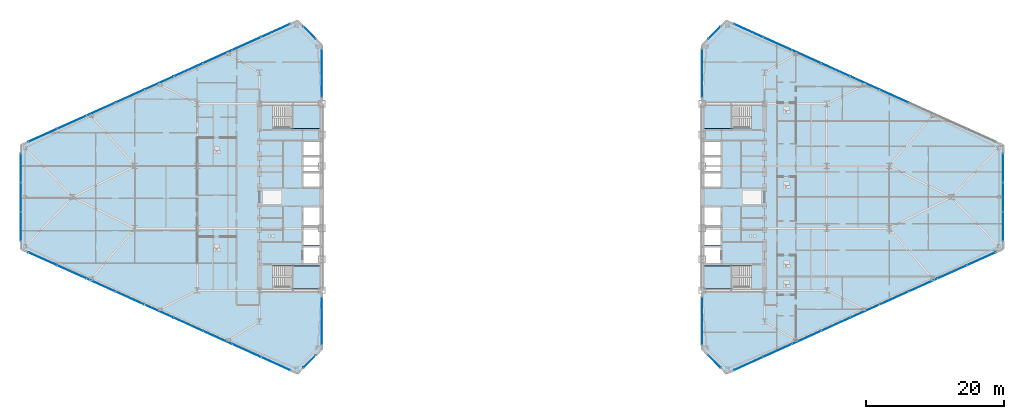
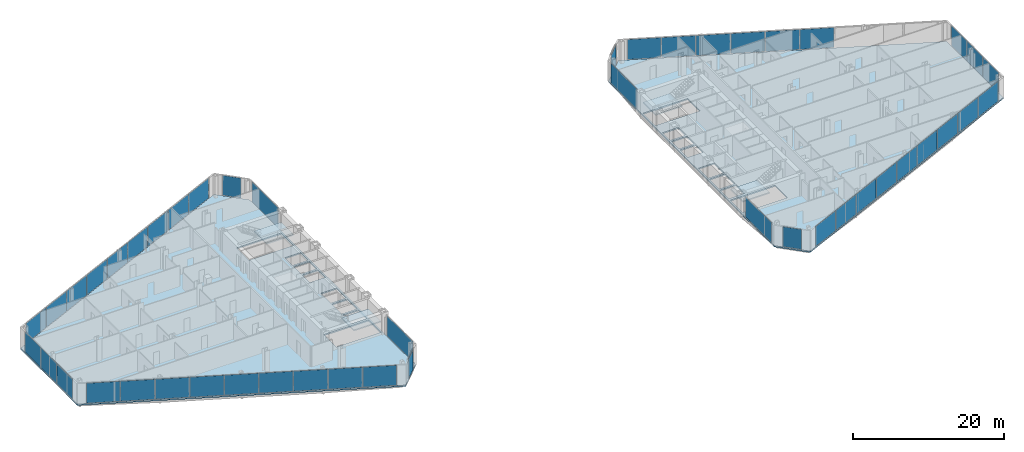
# One storey, part 17 of 27: 47 plates, 6 slabs, 18 elements without a shape of their own.
"""IFC4 building model written with IfcOpenShell, lengths in metres."""

import ifcopenshell
import ifcopenshell.guid

model = None  # the IFC model being written
_history = None  # IfcOwnerHistory: only IFC2X3 demands one
_inside = {}  # id of a spatial element -> (the spatial element, [elements in it])
_under = {}  # id of a project, library or spatial element -> (it, [spatial elements below it])
_declared = {}  # id of a project -> (the project, [libraries it declares])
_typed = {}  # id of a type object -> (the type object, [elements of that type])
_made_of = {}  # id of a material, layer set ... -> (it, [elements and type objects made of it])


def new_model(schema):
    """Start an empty IFC model of exactly this schema.

    Asked for "IFC4X3", IfcOpenShell would pick the latest addendum, in which some entities
    have other attributes; the version numbers below select the first issue.
    IFC2X3 requires an IfcOwnerHistory on every rooted entity: one is made here for all.
    """
    global model, _history
    if schema == "IFC4X3":
        model = ifcopenshell.file(schema_version=(4, 3, 0, 0))
    else:
        model = ifcopenshell.file(schema=schema)
    _inside.clear()
    _under.clear()
    _declared.clear()
    _typed.clear()
    _made_of.clear()
    _history = None
    if model.schema == "IFC2X3":
        org = make("IfcOrganization", Name="unknown")
        user = make(
            "IfcPersonAndOrganization",
            ThePerson=make("IfcPerson", FamilyName="unknown"),
            TheOrganization=org,
        )
        app = make(
            "IfcApplication",
            ApplicationDeveloper=org,
            Version="unknown",
            ApplicationFullName="unknown",
            ApplicationIdentifier="unknown",
        )
        _history = make(
            "IfcOwnerHistory",
            OwningUser=user,
            OwningApplication=app,
            ChangeAction="ADDED",
            CreationDate=0,
        )
    return model


def make(cls, **values):
    """One entity of the class cls with the attributes given. An attribute that is None is left unset."""
    return model.create_entity(
        cls, **{name: value for name, value in values.items() if value is not None}
    )


def rooted(cls, **values):
    """An entity with a GlobalId (a new one), such as an element, a storey or a relation."""
    return make(cls, GlobalId=ifcopenshell.guid.new(), OwnerHistory=_history, **values)


def si_unit(unit_type, name, prefix=None):
    """IfcSIUnit, for example si_unit("LENGTHUNIT", "METRE", prefix="MILLI")."""
    return make("IfcSIUnit", UnitType=unit_type, Prefix=prefix, Name=name)


def assignment(units):
    """IfcUnitAssignment: the units of a project."""
    return None if units is None else make("IfcUnitAssignment", Units=units)


def point(xyz):
    """IfcCartesianPoint."""
    return None if xyz is None else make("IfcCartesianPoint", Coordinates=xyz)


def direction(xyz):
    """IfcDirection."""
    return None if xyz is None else make("IfcDirection", DirectionRatios=xyz)


def frame(location, z_axis=None, x_axis=None):
    """IfcAxis2Placement3D, a coordinate frame: its origin and axes. An axis left out is left unset."""
    return make(
        "IfcAxis2Placement3D",
        Location=point(location),
        Axis=direction(z_axis),
        RefDirection=direction(x_axis),
    )


def frame_2d(location, x_axis=None):
    """IfcAxis2Placement2D, a coordinate frame in the plane: its origin and x axis."""
    return make(
        "IfcAxis2Placement2D", Location=point(location), RefDirection=direction(x_axis)
    )


def origin():
    """The frame at (0, 0, 0) with its axes left unset."""
    return frame((0.0, 0.0, 0.0))


def origin_2d():
    """The frame at (0, 0) in the plane with its x axis left unset."""
    return frame_2d((0.0, 0.0))


def place(relative_to, where):
    """IfcLocalPlacement: puts the frame where relative to a parent placement (None: the world)."""
    return make(
        "IfcLocalPlacement", PlacementRelTo=relative_to, RelativePlacement=where
    )


def context(
    kind, dimensions, precision=None, world=None, true_north=None, identifier=None
):
    """IfcGeometricRepresentationContext, for example the 3D "Model" context."""
    return make(
        "IfcGeometricRepresentationContext",
        ContextIdentifier=identifier,
        ContextType=kind,
        CoordinateSpaceDimension=dimensions,
        Precision=precision,
        WorldCoordinateSystem=world,
        TrueNorth=true_north,
    )


def subcontext(parent, identifier, kind, view, scale=None):
    """IfcGeometricRepresentationSubContext, for example "Body" below "Model"."""
    return make(
        "IfcGeometricRepresentationSubContext",
        ContextIdentifier=identifier,
        ContextType=kind,
        ParentContext=parent,
        TargetScale=scale,
        TargetView=view,
    )


def project(units=None, contexts=None):
    """IfcProject with its units and contexts."""
    return rooted(
        "IfcProject",
        Name="project",
        RepresentationContexts=contexts,
        UnitsInContext=assignment(units),
    )


def spatial(cls, under=None, at=None, **own):
    """A site, building, storey or space (cls), placed at a placement, below another one or the project."""
    s = rooted(cls, ObjectPlacement=at, **own)
    if under is not None:
        _under.setdefault(under.id(), (under, []))[1].append(s)
    return s


def polyline(points):
    """IfcPolyline through the points."""
    return make("IfcPolyline", Points=[point(p) for p in points])


def profile(cls, at=None, kind="AREA", **sizes):
    """A parametric profile (cls). Its sizes go by their IFC names, for example OverallWidth=200.0."""
    return make(cls, ProfileType=kind, Position=at, **sizes)


def rectangle(**sizes):
    """IfcRectangleProfileDef."""
    return profile("IfcRectangleProfileDef", **sizes)


def outline(outer, holes=None, kind="AREA"):
    """IfcArbitraryClosedProfileDef: a profile drawn as a closed curve; with holes, ...WithVoids."""
    if holes is None:
        return make("IfcArbitraryClosedProfileDef", ProfileType=kind, OuterCurve=outer)
    return make(
        "IfcArbitraryProfileDefWithVoids",
        ProfileType=kind,
        OuterCurve=outer,
        InnerCurves=holes,
    )


def extrude(swept, where, along, depth):
    """IfcExtrudedAreaSolid: the profile swept, set in the frame where, extruded along a direction by depth."""
    return make(
        "IfcExtrudedAreaSolid",
        SweptArea=swept,
        Position=where,
        ExtrudedDirection=direction(along),
        Depth=depth,
    )


def shape(context_of_items, identifier, shape_type, items):
    """IfcShapeRepresentation: the items that make up one representation, for example the "Body"."""
    return make(
        "IfcShapeRepresentation",
        ContextOfItems=context_of_items,
        RepresentationIdentifier=identifier,
        RepresentationType=shape_type,
        Items=items,
    )


def source(mapping_origin, context_of_items, identifier, shape_type, items):
    """IfcRepresentationMap: a shape defined once, which mapped items show again and again."""
    return make(
        "IfcRepresentationMap",
        MappingOrigin=mapping_origin,
        MappedRepresentation=shape(context_of_items, identifier, shape_type, items),
    )


def transform(
    local_origin,
    x_axis=None,
    y_axis=None,
    z_axis=None,
    scale=None,
    scale2=None,
    scale3=None,
    uniform=True,
):
    """IfcCartesianTransformationOperator3D, or its non-uniform kind. x_axis, y_axis, z_axis: its Axis1, 2, 3."""
    if uniform:
        return make(
            "IfcCartesianTransformationOperator3D",
            Axis1=direction(x_axis),
            Axis2=direction(y_axis),
            LocalOrigin=point(local_origin),
            Scale=scale,
            Axis3=direction(z_axis),
        )
    return make(
        "IfcCartesianTransformationOperator3DnonUniform",
        Axis1=direction(x_axis),
        Axis2=direction(y_axis),
        LocalOrigin=point(local_origin),
        Scale=scale,
        Axis3=direction(z_axis),
        Scale2=scale2,
        Scale3=scale3,
    )


def mapped(mapping_source, mapping_target):
    """IfcMappedItem: shows the shape of a source again, moved by a transform."""
    return make(
        "IfcMappedItem", MappingSource=mapping_source, MappingTarget=mapping_target
    )


def material(Name=None, Category=None):
    """IfcMaterial."""
    return make("IfcMaterial", Name=Name, Category=Category)


def layer(
    of_material, thickness, ventilated=None, Name=None, Category=None, Priority=None
):
    """IfcMaterialLayer: one layer of a wall or slab, of a material (None: an air gap)."""
    return make(
        "IfcMaterialLayer",
        Material=of_material,
        LayerThickness=thickness,
        IsVentilated=ventilated,
        Name=Name,
        Category=Category,
        Priority=Priority,
    )


def layer_set(layers, Name=None):
    """IfcMaterialLayerSet."""
    return make("IfcMaterialLayerSet", MaterialLayers=layers, LayerSetName=Name)


def made_of(thing, what):
    """Note that an element or type object is made of a material, layer set ...; save() writes the relation."""
    if what is not None:
        _made_of.setdefault(what.id(), (what, []))[1].append(thing)
    return thing


def type_object(cls, material=None, **own):
    """A type object (cls), such as IfcWallType, which elements share."""
    return made_of(rooted(cls, **own), material)


def type_shapes(of_type, sources):
    """Give a type object the sources (RepresentationMaps) that its elements show as mapped items."""
    of_type.RepresentationMaps = sources


def element(
    cls,
    number,
    at=None,
    inside=None,
    cuts=None,
    type_object=None,
    material=None,
    context=None,
    identifier="Body",
    shape_type=None,
    held_by="IfcProductDefinitionShape",
    body=None,
    shapes=None,
    **own,
):
    """One element of the class cls, such as IfcWall. Its Tag is "e" and its number.

    at: its placement. inside: the storey or other place that contains it. cuts: it is an
    opening in that element (IfcRelVoidsElement). A single representation is given by context,
    identifier, shape_type and body (its items); several are given by shapes. held_by: the class
    of the entity that holds the representations. save() writes the other relations.
    """
    e = rooted(cls, Tag="e%d" % number, ObjectPlacement=at, **own)
    if body is not None:
        shapes = [shape(context, identifier, shape_type, body)]
    if shapes is not None:
        e.Representation = make(held_by, Representations=shapes)
    if inside is not None:
        _inside.setdefault(inside.id(), (inside, []))[1].append(e)
    if cuts is not None:
        rooted(
            "IfcRelVoidsElement", RelatingBuildingElement=cuts, RelatedOpeningElement=e
        )
    if type_object is not None:
        _typed.setdefault(type_object.id(), (type_object, []))[1].append(e)
    return made_of(e, material)


def aggregate(whole, parts):
    """IfcRelAggregates: a whole, such as a stair, and the parts it consists of."""
    return rooted("IfcRelAggregates", RelatingObject=whole, RelatedObjects=parts)


def save(model, path):
    """Write the relations noted so far, then the file.

    IfcRelAggregates (storeys below a building ...), IfcRelContainedInSpatialStructure (elements
    in a storey), IfcRelDefinesByType, IfcRelAssociatesMaterial and IfcRelDeclares: one each for
    every whole, place, type object, material and project.
    """
    for whole, parts in _under.values():
        aggregate(whole, parts)
    for where, things in _inside.values():
        rooted(
            "IfcRelContainedInSpatialStructure",
            RelatedElements=things,
            RelatingStructure=where,
        )
    for kind, things in _typed.values():
        rooted("IfcRelDefinesByType", RelatedObjects=things, RelatingType=kind)
    for what, things in _made_of.values():
        rooted("IfcRelAssociatesMaterial", RelatedObjects=things, RelatingMaterial=what)
    for by, libraries in _declared.values():
        rooted("IfcRelDeclares", RelatingContext=by, RelatedDefinitions=libraries)
    model.write(path)


model = new_model("IFC4")

# Units and contexts
model_context = context("Model", 3, precision=1e-05, world=origin(), true_north=direction((0.0, 1.0)))
body_context = subcontext(model_context, "Body", "Model", "MODEL_VIEW")
ifc_project = project(units=[si_unit("LENGTHUNIT", "METRE"), si_unit("AREAUNIT", "SQUARE_METRE"), si_unit("VOLUMEUNIT", "CUBIC_METRE"), si_unit("PLANEANGLEUNIT", "RADIAN"), si_unit("MASSUNIT", "GRAM", prefix="KILO")], contexts=[model_context])

# Site, building, storey
site_placement = place(None, origin())
site = spatial("IfcSite", under=ifc_project, at=site_placement, CompositionType="ELEMENT")
building_placement = place(site_placement, origin())
building = spatial("IfcBuilding", under=site, at=building_placement, Name="Seokmaru Belvedere", CompositionType="ELEMENT")
storey_placement = place(building_placement, frame((0.0, 0.0, 80.10009765625)))
storey = spatial("IfcBuildingStorey", under=building, at=storey_placement, Name="L21", CompositionType="ELEMENT", Elevation=80.10009765625)

# Stair, slab
ifc_material_1 = material(Name="Concrete C40 (40 MPa)", Category="concrete")
stair_type = type_object("IfcStairType", Name="Typical Tower Core Dog-Leg Stair 3600", PredefinedType="TWO_STRAIGHT_RUN_STAIR", material=ifc_material_1)
stair_1_placement = place(storey_placement, origin())
stair_1 = element("IfcStair", 1, at=stair_1_placement, inside=storey, type_object=stair_type, Name="L21 Special Escape Stair ST-W1", PredefinedType="TWO_STRAIGHT_RUN_STAIR")
ifc_layer_1 = layer(ifc_material_1, 0.199951171875)
ifc_layer_set_1 = layer_set([ifc_layer_1], Name="Concrete C40 (40 MPa)")
slab_type_1 = type_object("IfcSlabType", Name="Reinforced Concrete Stair Landing Slab 200", PredefinedType="LANDING", material=ifc_layer_set_1)
slab_1_placement = place(storey_placement, frame((0.0, 0.0, 1.599853515625)))
slab_1 = element("IfcSlab", 2, at=slab_1_placement, type_object=slab_type_1, Name="ST-W1 landing 1", PredefinedType="LANDING", context=body_context, shape_type="SweptSolid", body=[
    extrude(outline(polyline([(-31.8798828125, -13.239990234375), (-27.760009765625, -13.239990234375), (-27.760009765625, -9.949951171875), (-31.8798828125, -9.949951171875), (-31.8798828125, -13.239990234375)])), origin(), (0.0, 0.0, 1.0), 0.199951171875),
])
aggregate(stair_1, [slab_1])

stair_2_placement = place(storey_placement, origin())
stair_2 = element("IfcStair", 3, at=stair_2_placement, inside=storey, type_object=stair_type, Name="L21 Special Escape Stair ST-W2", PredefinedType="TWO_STRAIGHT_RUN_STAIR")
slab_2_placement = place(storey_placement, frame((0.0, 0.0, 1.599853515625)))
slab_2 = element("IfcSlab", 4, at=slab_2_placement, type_object=slab_type_1, Name="ST-W2 landing 1", PredefinedType="LANDING", context=body_context, shape_type="SweptSolid", body=[
    extrude(outline(polyline([(-31.8798828125, 9.949951171875), (-27.760009765625, 9.949951171875), (-27.760009765625, 13.239990234375), (-31.8798828125, 13.239990234375), (-31.8798828125, 9.949951171875)])), origin(), (0.0, 0.0, 1.0), 0.199951171875),
])
aggregate(stair_2, [slab_2])

stair_3_placement = place(storey_placement, origin())
stair_3 = element("IfcStair", 5, at=stair_3_placement, inside=storey, type_object=stair_type, Name="L21 Special Escape Stair ST-E1", PredefinedType="TWO_STRAIGHT_RUN_STAIR")
slab_3_placement = place(storey_placement, frame((0.0, 0.0, 1.599853515625)))
slab_3 = element("IfcSlab", 6, at=slab_3_placement, type_object=slab_type_1, Name="ST-E1 landing 1", PredefinedType="LANDING", context=body_context, shape_type="SweptSolid", body=[
    extrude(outline(polyline([(27.760009765625, -13.239990234375), (31.8798828125, -13.239990234375), (31.8798828125, -9.949951171875), (27.760009765625, -9.949951171875), (27.760009765625, -13.239990234375)])), origin(), (0.0, 0.0, 1.0), 0.199951171875),
])
aggregate(stair_3, [slab_3])

stair_4_placement = place(storey_placement, origin())
stair_4 = element("IfcStair", 7, at=stair_4_placement, inside=storey, type_object=stair_type, Name="L21 Special Escape Stair ST-E2", PredefinedType="TWO_STRAIGHT_RUN_STAIR")
slab_4_placement = place(storey_placement, frame((0.0, 0.0, 1.599853515625)))
slab_4 = element("IfcSlab", 8, at=slab_4_placement, type_object=slab_type_1, Name="ST-E2 landing 1", PredefinedType="LANDING", context=body_context, shape_type="SweptSolid", body=[
    extrude(outline(polyline([(27.760009765625, 9.949951171875), (31.8798828125, 9.949951171875), (31.8798828125, 13.239990234375), (27.760009765625, 13.239990234375), (27.760009765625, 9.949951171875)])), origin(), (0.0, 0.0, 1.0), 0.199951171875),
])
aggregate(stair_4, [slab_4])

# Slabs
ifc_layer_2 = layer(ifc_material_1, 0.219970703125)
ifc_layer_set_2 = layer_set([ifc_layer_2], Name="Concrete C40 (40 MPa)")
slab_type_2 = type_object("IfcSlabType", Name="Typical Tower Composite Floor Slab 220", PredefinedType="FLOOR", material=ifc_layer_set_2)
slab_5_placement = place(storey_placement, frame((0.0, 0.0, -0.22021484375)))
element("IfcSlab", 9, at=slab_5_placement, inside=storey, type_object=slab_type_2, Name="L21 West Leg Floor Slab", PredefinedType="FLOOR", context=body_context, shape_type="SweptSolid", body=[
    extrude(outline(polyline([(-27.5, -22.0), (-27.5, 22.0), (-31.0, 25.5), (-71.0, 7.5), (-71.0, -7.5), (-31.0, -25.5), (-27.5, -22.0)]), holes=[polyline([(-34.60009765625, -13.25), (-27.75, -13.25), (-27.75, -9.949951171875), (-34.60009765625, -9.949951171875), (-34.60009765625, -13.25)]), polyline([(-34.60009765625, 9.949951171875), (-27.75, 9.949951171875), (-27.75, 13.25), (-34.60009765625, 13.25), (-34.60009765625, 9.949951171875)]), polyline([(-30.14990234375, -9.550048828125), (-27.75, -9.550048828125), (-27.75, -7.25), (-30.14990234375, -7.25), (-30.14990234375, -9.550048828125)]), polyline([(-30.14990234375, -6.949951171875), (-27.75, -6.949951171875), (-27.75, -4.35009765625), (-30.14990234375, -4.35009765625), (-30.14990234375, -6.949951171875)]), polyline([(-30.14990234375, -4.050048828125), (-27.75, -4.050048828125), (-27.75, -1.449951171875), (-30.14990234375, -1.449951171875), (-30.14990234375, -4.050048828125)]), polyline([(-30.14990234375, 1.449951171875), (-27.75, 1.449951171875), (-27.75, 3.449951171875), (-30.14990234375, 3.449951171875), (-30.14990234375, 1.449951171875)]), polyline([(-30.14990234375, 3.75), (-27.75, 3.75), (-27.75, 5.75), (-30.14990234375, 5.75), (-30.14990234375, 3.75)]), polyline([(-30.14990234375, 6.050048828125), (-27.75, 6.050048828125), (-27.75, 8.050048828125), (-30.14990234375, 8.050048828125), (-30.14990234375, 6.050048828125)])]), origin(), (0.0, 0.0, 1.0), 0.22021484375),
])
slab_6_placement = place(storey_placement, frame((0.0, 0.0, -0.22021484375)))
element("IfcSlab", 10, at=slab_6_placement, inside=storey, type_object=slab_type_2, Name="L21 East Leg Floor Slab", PredefinedType="FLOOR", context=body_context, shape_type="SweptSolid", body=[
    extrude(outline(polyline([(31.0, -25.5), (71.0, -7.5), (71.0, 7.5), (31.0, 25.5), (27.5, 22.0), (27.5, -22.0), (31.0, -25.5)]), holes=[polyline([(27.75, -13.25), (34.60009765625, -13.25), (34.60009765625, -9.949951171875), (27.75, -9.949951171875), (27.75, -13.25)]), polyline([(27.75, 9.949951171875), (34.60009765625, 9.949951171875), (34.60009765625, 13.25), (27.75, 13.25), (27.75, 9.949951171875)]), polyline([(27.75, -9.550048828125), (30.14990234375, -9.550048828125), (30.14990234375, -7.25), (27.75, -7.25), (27.75, -9.550048828125)]), polyline([(27.75, -6.949951171875), (30.14990234375, -6.949951171875), (30.14990234375, -4.35009765625), (27.75, -4.35009765625), (27.75, -6.949951171875)]), polyline([(27.75, -4.050048828125), (30.14990234375, -4.050048828125), (30.14990234375, -1.449951171875), (27.75, -1.449951171875), (27.75, -4.050048828125)]), polyline([(27.75, 1.449951171875), (30.14990234375, 1.449951171875), (30.14990234375, 3.449951171875), (27.75, 3.449951171875), (27.75, 1.449951171875)]), polyline([(27.75, 3.75), (30.14990234375, 3.75), (30.14990234375, 5.75), (27.75, 5.75), (27.75, 3.75)]), polyline([(27.75, 6.050048828125), (30.14990234375, 6.050048828125), (30.14990234375, 8.050048828125), (27.75, 8.050048828125), (27.75, 6.050048828125)])]), origin(), (0.0, 0.0, 1.0), 0.22021484375),
])

# Curtain wall, plate
ifc_material_2 = material(Name="Bronze Triple Insulating Glass", Category="glass")
ifc_layer_3 = layer(ifc_material_2, 0.195068359375)
ifc_layer_set_3 = layer_set([ifc_layer_3], Name="Bronze Triple Insulating Glass")
curtain_wall_type = type_object("IfcCurtainWallType", Name="Lower-Mid Tapered Curtain Wall System CW-3", PredefinedType="NOTDEFINED", material=ifc_layer_set_3)
curtain_wall_1_placement = place(storey_placement, origin())
curtain_wall_1 = element("IfcCurtainWall", 11, at=curtain_wall_1_placement, inside=storey, type_object=curtain_wall_type, Name="L21 Curtain Wall WSP_1", PredefinedType="NOTDEFINED")
ifc_layer_4 = layer(ifc_material_2, 0.035888671875)
ifc_layer_set_4 = layer_set([ifc_layer_4], Name="Bronze Triple Insulating Glass")
plate_type = type_object("IfcPlateType", Name="Bronze Triple Vision Glazing Panel 36", PredefinedType="CURTAIN_PANEL", material=ifc_layer_set_4)
shared_shape_1 = source(origin(), body_context, "Body", "SweptSolid", [
    extrude(rectangle(XDim=6.909912109375, YDim=0.035888671875, at=origin_2d()), origin(), (0.0, 0.0, 1.0), 3.239990234375),
])
plate_1_placement = place(storey_placement, frame((-27.5, -17.905029296875, 0.06982421875), z_axis=(0.0, 0.0, 1.0), x_axis=(0.0, 1.0, 0.0)))
plate_1 = element("IfcPlate", 12, at=plate_1_placement, type_object=plate_type, Name="CW:L21:WSP_1 Glazing Panel 1-1", PredefinedType="CURTAIN_PANEL", context=body_context, shape_type="MappedRepresentation", body=[
    mapped(shared_shape_1, transform((0.0, 0.0, 0.0), scale=1.0)),
])
aggregate(curtain_wall_1, [plate_1])

curtain_wall_2_placement = place(storey_placement, origin())
curtain_wall_2 = element("IfcCurtainWall", 13, at=curtain_wall_2_placement, inside=storey, type_object=curtain_wall_type, Name="L21 Curtain Wall WSP_2", PredefinedType="NOTDEFINED")
plate_2_placement = place(storey_placement, frame((-27.5, 17.905029296875, 0.06982421875), z_axis=(0.0, 0.0, 1.0), x_axis=(0.0, 1.0, 0.0)))
plate_2 = element("IfcPlate", 14, at=plate_2_placement, type_object=plate_type, Name="CW:L21:WSP_2 Glazing Panel 1-1", PredefinedType="CURTAIN_PANEL", context=body_context, shape_type="MappedRepresentation", body=[
    mapped(shared_shape_1, transform((0.0, 0.0, 0.0), scale=1.0)),
])
aggregate(curtain_wall_2, [plate_2])

curtain_wall_3_placement = place(storey_placement, origin())
curtain_wall_3 = element("IfcCurtainWall", 15, at=curtain_wall_3_placement, inside=storey, type_object=curtain_wall_type, Name="L21 Curtain Wall ESP_1", PredefinedType="NOTDEFINED")
plate_3_placement = place(storey_placement, frame((27.5, -17.905029296875, 0.06982421875), z_axis=(0.0, 0.0, 1.0), x_axis=(0.0, -1.0, 0.0)))
plate_3 = element("IfcPlate", 16, at=plate_3_placement, type_object=plate_type, Name="CW:L21:ESP_1 Glazing Panel 1-1", PredefinedType="CURTAIN_PANEL", context=body_context, shape_type="MappedRepresentation", body=[
    mapped(shared_shape_1, transform((0.0, 0.0, 0.0), scale=1.0)),
])
aggregate(curtain_wall_3, [plate_3])

curtain_wall_4_placement = place(storey_placement, origin())
curtain_wall_4 = element("IfcCurtainWall", 17, at=curtain_wall_4_placement, inside=storey, type_object=curtain_wall_type, Name="L21 Curtain Wall ESP_2", PredefinedType="NOTDEFINED")
plate_4_placement = place(storey_placement, frame((27.5, 17.905029296875, 0.06982421875), z_axis=(0.0, 0.0, 1.0), x_axis=(0.0, -1.0, 0.0)))
plate_4 = element("IfcPlate", 18, at=plate_4_placement, type_object=plate_type, Name="CW:L21:ESP_2 Glazing Panel 1-1", PredefinedType="CURTAIN_PANEL", context=body_context, shape_type="MappedRepresentation", body=[
    mapped(shared_shape_1, transform((0.0, 0.0, 0.0), scale=1.0)),
])
aggregate(curtain_wall_4, [plate_4])

curtain_wall_5_placement = place(storey_placement, origin())
curtain_wall_5 = element("IfcCurtainWall", 19, at=curtain_wall_5_placement, inside=storey, type_object=curtain_wall_type, Name="L21 Curtain Wall WF2", PredefinedType="NOTDEFINED")
shared_shape_2 = source(origin(), body_context, "Body", "SweptSolid", [
    extrude(rectangle(XDim=2.509765625, YDim=0.035888671875, at=origin_2d()), origin(), (0.0, 0.0, 1.0), 3.239990234375),
])
plate_5_placement = place(storey_placement, frame((-29.25, 23.75, 0.06982421875), z_axis=(0.0, 0.0, 1.0), x_axis=(-0.707106781187, 0.707106781187, 0.0)))
plate_5 = element("IfcPlate", 20, at=plate_5_placement, type_object=plate_type, Name="CW:L21:WF2 Glazing Panel 1-1", PredefinedType="CURTAIN_PANEL", context=body_context, shape_type="MappedRepresentation", body=[
    mapped(shared_shape_2, transform((0.0, 0.0, 0.0), scale=1.0)),
])
aggregate(curtain_wall_5, [plate_5])

curtain_wall_6_placement = place(storey_placement, origin())
curtain_wall_6 = element("IfcCurtainWall", 21, at=curtain_wall_6_placement, inside=storey, type_object=curtain_wall_type, Name="L21 Curtain Wall WF6", PredefinedType="NOTDEFINED")
plate_6_placement = place(storey_placement, frame((-29.25, -23.75, 0.06982421875), z_axis=(0.0, 0.0, 1.0), x_axis=(0.707106781187, 0.707106781187, 0.0)))
plate_6 = element("IfcPlate", 22, at=plate_6_placement, type_object=plate_type, Name="CW:L21:WF6 Glazing Panel 1-1", PredefinedType="CURTAIN_PANEL", context=body_context, shape_type="MappedRepresentation", body=[
    mapped(shared_shape_2, transform((0.0, 0.0, 0.0), scale=1.0)),
])
aggregate(curtain_wall_6, [plate_6])

curtain_wall_7_placement = place(storey_placement, origin())
curtain_wall_7 = element("IfcCurtainWall", 23, at=curtain_wall_7_placement, inside=storey, type_object=curtain_wall_type, Name="L21 Curtain Wall EF4", PredefinedType="NOTDEFINED")
plate_7_placement = place(storey_placement, frame((29.25, 23.75, 0.06982421875), z_axis=(0.0, 0.0, 1.0), x_axis=(-0.707106781187, -0.707106781187, 0.0)))
plate_7 = element("IfcPlate", 24, at=plate_7_placement, type_object=plate_type, Name="CW:L21:EF4 Glazing Panel 1-1", PredefinedType="CURTAIN_PANEL", context=body_context, shape_type="MappedRepresentation", body=[
    mapped(shared_shape_2, transform((0.0, 0.0, 0.0), scale=1.0)),
])
aggregate(curtain_wall_7, [plate_7])

curtain_wall_8_placement = place(storey_placement, origin())
curtain_wall_8 = element("IfcCurtainWall", 25, at=curtain_wall_8_placement, inside=storey, type_object=curtain_wall_type, Name="L21 Curtain Wall EF6", PredefinedType="NOTDEFINED")
plate_8_placement = place(storey_placement, frame((29.25, -23.75, 0.06982421875), z_axis=(0.0, 0.0, 1.0), x_axis=(0.707106781187, -0.707106781187, 0.0)))
plate_8 = element("IfcPlate", 26, at=plate_8_placement, type_object=plate_type, Name="CW:L21:EF6 Glazing Panel 1-1", PredefinedType="CURTAIN_PANEL", context=body_context, shape_type="MappedRepresentation", body=[
    mapped(shared_shape_2, transform((0.0, 0.0, 0.0), scale=1.0)),
])
aggregate(curtain_wall_8, [plate_8])

# Curtain wall, plates
curtain_wall_9_placement = place(storey_placement, origin())
curtain_wall_9 = element("IfcCurtainWall", 27, at=curtain_wall_9_placement, inside=storey, type_object=curtain_wall_type, Name="L21 Curtain Wall WF3", PredefinedType="NOTDEFINED")
shared_shape_3 = source(origin(), body_context, "Body", "SweptSolid", [
    extrude(rectangle(XDim=4.51318359375, YDim=0.035888671875, at=origin_2d()), origin(), (0.0, 0.0, 1.0), 3.239990234375),
])
plate_9_placement = place(storey_placement, frame((-34.17041015625, 24.073486328125, 0.06982421875), z_axis=(0.0, 0.0, 1.0), x_axis=(-0.91192111353, -0.41036554765, 0.0)))
plate_9 = element("IfcPlate", 28, at=plate_9_placement, type_object=plate_type, Name="CW:L21:WF3 Glazing Panel 1-1", PredefinedType="CURTAIN_PANEL", context=body_context, shape_type="MappedRepresentation", body=[
    mapped(shared_shape_3, transform((0.0, 0.0, 0.0), scale=1.0)),
])
plate_10_placement = place(storey_placement, frame((-67.82958984375, 8.926513671875, 0.06982421875), z_axis=(0.0, 0.0, 1.0), x_axis=(-0.91192111353, -0.41036554765, 0.0)))
plate_10 = element("IfcPlate", 29, at=plate_10_placement, type_object=plate_type, Name="CW:L21:WF3 Glazing Panel 9-1", PredefinedType="CURTAIN_PANEL", context=body_context, shape_type="MappedRepresentation", body=[
    mapped(shared_shape_3, transform((0.0, 0.0, 0.0), scale=1.0)),
])

curtain_wall_10_placement = place(storey_placement, origin())
curtain_wall_10 = element("IfcCurtainWall", 30, at=curtain_wall_10_placement, inside=storey, type_object=curtain_wall_type, Name="L21 Curtain Wall WF5", PredefinedType="NOTDEFINED")
plate_11_placement = place(storey_placement, frame((-67.82958984375, -8.926513671875, 0.06982421875), z_axis=(0.0, 0.0, 1.0), x_axis=(0.91192111353, -0.41036554765, 0.0)))
plate_11 = element("IfcPlate", 31, at=plate_11_placement, type_object=plate_type, Name="CW:L21:WF5 Glazing Panel 1-1", PredefinedType="CURTAIN_PANEL", context=body_context, shape_type="MappedRepresentation", body=[
    mapped(shared_shape_3, transform((0.0, 0.0, 0.0), scale=1.0)),
])
plate_12_placement = place(storey_placement, frame((-34.17041015625, -24.073486328125, 0.06982421875), z_axis=(0.0, 0.0, 1.0), x_axis=(0.91192111353, -0.41036554765, 0.0)))
plate_12 = element("IfcPlate", 32, at=plate_12_placement, type_object=plate_type, Name="CW:L21:WF5 Glazing Panel 9-1", PredefinedType="CURTAIN_PANEL", context=body_context, shape_type="MappedRepresentation", body=[
    mapped(shared_shape_3, transform((0.0, 0.0, 0.0), scale=1.0)),
])

curtain_wall_11_placement = place(storey_placement, origin())
curtain_wall_11 = element("IfcCurtainWall", 33, at=curtain_wall_11_placement, inside=storey, type_object=curtain_wall_type, Name="L21 Curtain Wall EF1", PredefinedType="NOTDEFINED")
plate_13_placement = place(storey_placement, frame((34.17041015625, -24.073486328125, 0.06982421875), z_axis=(0.0, 0.0, 1.0), x_axis=(0.91192111353, 0.41036554765, 0.0)))
plate_13 = element("IfcPlate", 34, at=plate_13_placement, type_object=plate_type, Name="CW:L21:EF1 Glazing Panel 1-1", PredefinedType="CURTAIN_PANEL", context=body_context, shape_type="MappedRepresentation", body=[
    mapped(shared_shape_3, transform((0.0, 0.0, 0.0), scale=1.0)),
])
plate_14_placement = place(storey_placement, frame((67.82958984375, -8.926513671875, 0.06982421875), z_axis=(0.0, 0.0, 1.0), x_axis=(0.91192111353, 0.41036554765, 0.0)))
plate_14 = element("IfcPlate", 35, at=plate_14_placement, type_object=plate_type, Name="CW:L21:EF1 Glazing Panel 9-1", PredefinedType="CURTAIN_PANEL", context=body_context, shape_type="MappedRepresentation", body=[
    mapped(shared_shape_3, transform((0.0, 0.0, 0.0), scale=1.0)),
])

# Curtain wall, plate
curtain_wall_12_placement = place(storey_placement, origin())
curtain_wall_12 = element("IfcCurtainWall", 36, at=curtain_wall_12_placement, inside=storey, type_object=curtain_wall_type, Name="L21 Curtain Wall EF3", PredefinedType="NOTDEFINED")
plate_15_placement = place(storey_placement, frame((34.17041015625, 24.073486328125, 0.06982421875), z_axis=(0.0, 0.0, 1.0), x_axis=(-0.91192111353, 0.41036554765, 0.0)))
plate_15 = element("IfcPlate", 37, at=plate_15_placement, type_object=plate_type, Name="CW:L21:EF3 Glazing Panel 9-1", PredefinedType="CURTAIN_PANEL", context=body_context, shape_type="MappedRepresentation", body=[
    mapped(shared_shape_3, transform((0.0, 0.0, 0.0), scale=1.0)),
])

# Plate
shared_shape_4 = source(origin(), body_context, "Body", "SweptSolid", [
    extrude(rectangle(XDim=4.548095703125, YDim=0.035888671875, at=origin_2d()), origin(), (0.0, 0.0, 1.0), 3.239990234375),
])
plate_16_placement = place(storey_placement, frame((-38.36572265625, 22.185302734375, 0.06982421875), z_axis=(0.0, 0.0, 1.0), x_axis=(-0.91192111353, -0.41036554765, 0.0)))
plate_16 = element("IfcPlate", 38, at=plate_16_placement, type_object=plate_type, Name="CW:L21:WF3 Glazing Panel 2-1", PredefinedType="CURTAIN_PANEL", context=body_context, shape_type="MappedRepresentation", body=[
    mapped(shared_shape_4, transform((0.0, 0.0, 0.0), scale=1.0)),
])

plate_17_placement = place(storey_placement, frame((-42.5771484375, 20.290283203125, 0.06982421875), z_axis=(0.0, 0.0, 1.0), x_axis=(-0.91192111353, -0.41036554765, 0.0)))
plate_17 = element("IfcPlate", 39, at=plate_17_placement, type_object=plate_type, Name="CW:L21:WF3 Glazing Panel 3-1", PredefinedType="CURTAIN_PANEL", context=body_context, shape_type="MappedRepresentation", body=[
    mapped(shared_shape_4, transform((0.0, 0.0, 0.0), scale=1.0)),
])

plate_18_placement = place(storey_placement, frame((-46.78857421875, 18.39501953125, 0.06982421875), z_axis=(0.0, 0.0, 1.0), x_axis=(-0.91192111353, -0.41036554765, 0.0)))
plate_18 = element("IfcPlate", 40, at=plate_18_placement, type_object=plate_type, Name="CW:L21:WF3 Glazing Panel 4-1", PredefinedType="CURTAIN_PANEL", context=body_context, shape_type="MappedRepresentation", body=[
    mapped(shared_shape_4, transform((0.0, 0.0, 0.0), scale=1.0)),
])

plate_19_placement = place(storey_placement, frame((-51.0, 16.5, 0.06982421875), z_axis=(0.0, 0.0, 1.0), x_axis=(-0.91192111353, -0.41036554765, 0.0)))
plate_19 = element("IfcPlate", 41, at=plate_19_placement, type_object=plate_type, Name="CW:L21:WF3 Glazing Panel 5-1", PredefinedType="CURTAIN_PANEL", context=body_context, shape_type="MappedRepresentation", body=[
    mapped(shared_shape_4, transform((0.0, 0.0, 0.0), scale=1.0)),
])

plate_20_placement = place(storey_placement, frame((-55.21142578125, 14.60498046875, 0.06982421875), z_axis=(0.0, 0.0, 1.0), x_axis=(-0.91192111353, -0.41036554765, 0.0)))
plate_20 = element("IfcPlate", 42, at=plate_20_placement, type_object=plate_type, Name="CW:L21:WF3 Glazing Panel 6-1", PredefinedType="CURTAIN_PANEL", context=body_context, shape_type="MappedRepresentation", body=[
    mapped(shared_shape_4, transform((0.0, 0.0, 0.0), scale=1.0)),
])

plate_21_placement = place(storey_placement, frame((-59.4228515625, 12.709716796875, 0.06982421875), z_axis=(0.0, 0.0, 1.0), x_axis=(-0.91192111353, -0.41036554765, 0.0)))
plate_21 = element("IfcPlate", 43, at=plate_21_placement, type_object=plate_type, Name="CW:L21:WF3 Glazing Panel 7-1", PredefinedType="CURTAIN_PANEL", context=body_context, shape_type="MappedRepresentation", body=[
    mapped(shared_shape_4, transform((0.0, 0.0, 0.0), scale=1.0)),
])

plate_22_placement = place(storey_placement, frame((-63.63427734375, 10.814697265625, 0.06982421875), z_axis=(0.0, 0.0, 1.0), x_axis=(-0.91192111353, -0.41036554765, 0.0)))
plate_22 = element("IfcPlate", 44, at=plate_22_placement, type_object=plate_type, Name="CW:L21:WF3 Glazing Panel 8-1", PredefinedType="CURTAIN_PANEL", context=body_context, shape_type="MappedRepresentation", body=[
    mapped(shared_shape_4, transform((0.0, 0.0, 0.0), scale=1.0)),
])

aggregate(curtain_wall_9, [plate_9, plate_16, plate_17, plate_18, plate_19, plate_20, plate_21, plate_22, plate_10])

plate_23_placement = place(storey_placement, frame((-63.63427734375, -10.814697265625, 0.06982421875), z_axis=(0.0, 0.0, 1.0), x_axis=(0.91192111353, -0.41036554765, 0.0)))
plate_23 = element("IfcPlate", 45, at=plate_23_placement, type_object=plate_type, Name="CW:L21:WF5 Glazing Panel 2-1", PredefinedType="CURTAIN_PANEL", context=body_context, shape_type="MappedRepresentation", body=[
    mapped(shared_shape_4, transform((0.0, 0.0, 0.0), scale=1.0)),
])

plate_24_placement = place(storey_placement, frame((-59.4228515625, -12.709716796875, 0.06982421875), z_axis=(0.0, 0.0, 1.0), x_axis=(0.91192111353, -0.41036554765, 0.0)))
plate_24 = element("IfcPlate", 46, at=plate_24_placement, type_object=plate_type, Name="CW:L21:WF5 Glazing Panel 3-1", PredefinedType="CURTAIN_PANEL", context=body_context, shape_type="MappedRepresentation", body=[
    mapped(shared_shape_4, transform((0.0, 0.0, 0.0), scale=1.0)),
])

plate_25_placement = place(storey_placement, frame((-55.21142578125, -14.60498046875, 0.06982421875), z_axis=(0.0, 0.0, 1.0), x_axis=(0.91192111353, -0.41036554765, 0.0)))
plate_25 = element("IfcPlate", 47, at=plate_25_placement, type_object=plate_type, Name="CW:L21:WF5 Glazing Panel 4-1", PredefinedType="CURTAIN_PANEL", context=body_context, shape_type="MappedRepresentation", body=[
    mapped(shared_shape_4, transform((0.0, 0.0, 0.0), scale=1.0)),
])

plate_26_placement = place(storey_placement, frame((-51.0, -16.5, 0.06982421875), z_axis=(0.0, 0.0, 1.0), x_axis=(0.91192111353, -0.41036554765, 0.0)))
plate_26 = element("IfcPlate", 48, at=plate_26_placement, type_object=plate_type, Name="CW:L21:WF5 Glazing Panel 5-1", PredefinedType="CURTAIN_PANEL", context=body_context, shape_type="MappedRepresentation", body=[
    mapped(shared_shape_4, transform((0.0, 0.0, 0.0), scale=1.0)),
])

plate_27_placement = place(storey_placement, frame((-46.78857421875, -18.39501953125, 0.06982421875), z_axis=(0.0, 0.0, 1.0), x_axis=(0.91192111353, -0.41036554765, 0.0)))
plate_27 = element("IfcPlate", 49, at=plate_27_placement, type_object=plate_type, Name="CW:L21:WF5 Glazing Panel 6-1", PredefinedType="CURTAIN_PANEL", context=body_context, shape_type="MappedRepresentation", body=[
    mapped(shared_shape_4, transform((0.0, 0.0, 0.0), scale=1.0)),
])

plate_28_placement = place(storey_placement, frame((-42.5771484375, -20.290283203125, 0.06982421875), z_axis=(0.0, 0.0, 1.0), x_axis=(0.91192111353, -0.41036554765, 0.0)))
plate_28 = element("IfcPlate", 50, at=plate_28_placement, type_object=plate_type, Name="CW:L21:WF5 Glazing Panel 7-1", PredefinedType="CURTAIN_PANEL", context=body_context, shape_type="MappedRepresentation", body=[
    mapped(shared_shape_4, transform((0.0, 0.0, 0.0), scale=1.0)),
])

plate_29_placement = place(storey_placement, frame((-38.36572265625, -22.185302734375, 0.06982421875), z_axis=(0.0, 0.0, 1.0), x_axis=(0.91192111353, -0.41036554765, 0.0)))
plate_29 = element("IfcPlate", 51, at=plate_29_placement, type_object=plate_type, Name="CW:L21:WF5 Glazing Panel 8-1", PredefinedType="CURTAIN_PANEL", context=body_context, shape_type="MappedRepresentation", body=[
    mapped(shared_shape_4, transform((0.0, 0.0, 0.0), scale=1.0)),
])

aggregate(curtain_wall_10, [plate_11, plate_23, plate_24, plate_25, plate_26, plate_27, plate_28, plate_29, plate_12])

plate_30_placement = place(storey_placement, frame((38.36572265625, -22.185302734375, 0.06982421875), z_axis=(0.0, 0.0, 1.0), x_axis=(0.91192111353, 0.41036554765, 0.0)))
plate_30 = element("IfcPlate", 52, at=plate_30_placement, type_object=plate_type, Name="CW:L21:EF1 Glazing Panel 2-1", PredefinedType="CURTAIN_PANEL", context=body_context, shape_type="MappedRepresentation", body=[
    mapped(shared_shape_4, transform((0.0, 0.0, 0.0), scale=1.0)),
])

plate_31_placement = place(storey_placement, frame((42.5771484375, -20.290283203125, 0.06982421875), z_axis=(0.0, 0.0, 1.0), x_axis=(0.91192111353, 0.41036554765, 0.0)))
plate_31 = element("IfcPlate", 53, at=plate_31_placement, type_object=plate_type, Name="CW:L21:EF1 Glazing Panel 3-1", PredefinedType="CURTAIN_PANEL", context=body_context, shape_type="MappedRepresentation", body=[
    mapped(shared_shape_4, transform((0.0, 0.0, 0.0), scale=1.0)),
])

plate_32_placement = place(storey_placement, frame((46.78857421875, -18.39501953125, 0.06982421875), z_axis=(0.0, 0.0, 1.0), x_axis=(0.91192111353, 0.41036554765, 0.0)))
plate_32 = element("IfcPlate", 54, at=plate_32_placement, type_object=plate_type, Name="CW:L21:EF1 Glazing Panel 4-1", PredefinedType="CURTAIN_PANEL", context=body_context, shape_type="MappedRepresentation", body=[
    mapped(shared_shape_4, transform((0.0, 0.0, 0.0), scale=1.0)),
])

plate_33_placement = place(storey_placement, frame((51.0, -16.5, 0.06982421875), z_axis=(0.0, 0.0, 1.0), x_axis=(0.91192111353, 0.41036554765, 0.0)))
plate_33 = element("IfcPlate", 55, at=plate_33_placement, type_object=plate_type, Name="CW:L21:EF1 Glazing Panel 5-1", PredefinedType="CURTAIN_PANEL", context=body_context, shape_type="MappedRepresentation", body=[
    mapped(shared_shape_4, transform((0.0, 0.0, 0.0), scale=1.0)),
])

plate_34_placement = place(storey_placement, frame((55.21142578125, -14.60498046875, 0.06982421875), z_axis=(0.0, 0.0, 1.0), x_axis=(0.91192111353, 0.41036554765, 0.0)))
plate_34 = element("IfcPlate", 56, at=plate_34_placement, type_object=plate_type, Name="CW:L21:EF1 Glazing Panel 6-1", PredefinedType="CURTAIN_PANEL", context=body_context, shape_type="MappedRepresentation", body=[
    mapped(shared_shape_4, transform((0.0, 0.0, 0.0), scale=1.0)),
])

plate_35_placement = place(storey_placement, frame((59.4228515625, -12.709716796875, 0.06982421875), z_axis=(0.0, 0.0, 1.0), x_axis=(0.91192111353, 0.41036554765, 0.0)))
plate_35 = element("IfcPlate", 57, at=plate_35_placement, type_object=plate_type, Name="CW:L21:EF1 Glazing Panel 7-1", PredefinedType="CURTAIN_PANEL", context=body_context, shape_type="MappedRepresentation", body=[
    mapped(shared_shape_4, transform((0.0, 0.0, 0.0), scale=1.0)),
])

plate_36_placement = place(storey_placement, frame((63.63427734375, -10.814697265625, 0.06982421875), z_axis=(0.0, 0.0, 1.0), x_axis=(0.91192111353, 0.41036554765, 0.0)))
plate_36 = element("IfcPlate", 58, at=plate_36_placement, type_object=plate_type, Name="CW:L21:EF1 Glazing Panel 8-1", PredefinedType="CURTAIN_PANEL", context=body_context, shape_type="MappedRepresentation", body=[
    mapped(shared_shape_4, transform((0.0, 0.0, 0.0), scale=1.0)),
])

aggregate(curtain_wall_11, [plate_13, plate_30, plate_31, plate_32, plate_33, plate_34, plate_35, plate_36, plate_14])

plate_37_placement = place(storey_placement, frame((55.21142578125, 14.60498046875, 0.06982421875), z_axis=(0.0, 0.0, 1.0), x_axis=(-0.91192111353, 0.41036554765, 0.0)))
plate_37 = element("IfcPlate", 59, at=plate_37_placement, type_object=plate_type, Name="CW:L21:EF3 Glazing Panel 4-1", PredefinedType="CURTAIN_PANEL", context=body_context, shape_type="MappedRepresentation", body=[
    mapped(shared_shape_4, transform((0.0, 0.0, 0.0), scale=1.0)),
])

plate_38_placement = place(storey_placement, frame((51.0, 16.5, 0.06982421875), z_axis=(0.0, 0.0, 1.0), x_axis=(-0.91192111353, 0.41036554765, 0.0)))
plate_38 = element("IfcPlate", 60, at=plate_38_placement, type_object=plate_type, Name="CW:L21:EF3 Glazing Panel 5-1", PredefinedType="CURTAIN_PANEL", context=body_context, shape_type="MappedRepresentation", body=[
    mapped(shared_shape_4, transform((0.0, 0.0, 0.0), scale=1.0)),
])

plate_39_placement = place(storey_placement, frame((46.78857421875, 18.39501953125, 0.06982421875), z_axis=(0.0, 0.0, 1.0), x_axis=(-0.91192111353, 0.41036554765, 0.0)))
plate_39 = element("IfcPlate", 61, at=plate_39_placement, type_object=plate_type, Name="CW:L21:EF3 Glazing Panel 6-1", PredefinedType="CURTAIN_PANEL", context=body_context, shape_type="MappedRepresentation", body=[
    mapped(shared_shape_4, transform((0.0, 0.0, 0.0), scale=1.0)),
])

plate_40_placement = place(storey_placement, frame((42.5771484375, 20.290283203125, 0.06982421875), z_axis=(0.0, 0.0, 1.0), x_axis=(-0.91192111353, 0.41036554765, 0.0)))
plate_40 = element("IfcPlate", 62, at=plate_40_placement, type_object=plate_type, Name="CW:L21:EF3 Glazing Panel 7-1", PredefinedType="CURTAIN_PANEL", context=body_context, shape_type="MappedRepresentation", body=[
    mapped(shared_shape_4, transform((0.0, 0.0, 0.0), scale=1.0)),
])

plate_41_placement = place(storey_placement, frame((38.36572265625, 22.185302734375, 0.06982421875), z_axis=(0.0, 0.0, 1.0), x_axis=(-0.91192111353, 0.41036554765, 0.0)))
plate_41 = element("IfcPlate", 63, at=plate_41_placement, type_object=plate_type, Name="CW:L21:EF3 Glazing Panel 8-1", PredefinedType="CURTAIN_PANEL", context=body_context, shape_type="MappedRepresentation", body=[
    mapped(shared_shape_4, transform((0.0, 0.0, 0.0), scale=1.0)),
])

aggregate(curtain_wall_12, [plate_37, plate_38, plate_39, plate_40, plate_41, plate_15])

# Curtain wall, plates
curtain_wall_13_placement = place(storey_placement, origin())
curtain_wall_13 = element("IfcCurtainWall", 64, at=curtain_wall_13_placement, inside=storey, type_object=curtain_wall_type, Name="L21 Curtain Wall WF4", PredefinedType="NOTDEFINED")
shared_shape_5 = source(origin(), body_context, "Body", "SweptSolid", [
    extrude(rectangle(XDim=4.12841796875, YDim=0.035888671875, at=origin_2d()), origin(), (0.0, 0.0, 1.0), 3.239990234375),
])
plate_42_placement = place(storey_placement, frame((-71.0, 4.2158203125, 0.06982421875), z_axis=(0.0, 0.0, 1.0), x_axis=(0.0, -1.0, 0.0)))
plate_42 = element("IfcPlate", 65, at=plate_42_placement, type_object=plate_type, Name="CW:L21:WF4 Glazing Panel 1-1", PredefinedType="CURTAIN_PANEL", context=body_context, shape_type="MappedRepresentation", body=[
    mapped(shared_shape_5, transform((0.0, 0.0, 0.0), scale=1.0)),
])
plate_43_placement = place(storey_placement, frame((-71.0, -4.2158203125, 0.06982421875), z_axis=(0.0, 0.0, 1.0), x_axis=(0.0, -1.0, 0.0)))
plate_43 = element("IfcPlate", 66, at=plate_43_placement, type_object=plate_type, Name="CW:L21:WF4 Glazing Panel 3-1", PredefinedType="CURTAIN_PANEL", context=body_context, shape_type="MappedRepresentation", body=[
    mapped(shared_shape_5, transform((0.0, 0.0, 0.0), scale=1.0)),
])

curtain_wall_14_placement = place(storey_placement, origin())
curtain_wall_14 = element("IfcCurtainWall", 67, at=curtain_wall_14_placement, inside=storey, type_object=curtain_wall_type, Name="L21 Curtain Wall EF2", PredefinedType="NOTDEFINED")
plate_44_placement = place(storey_placement, frame((71.0, -4.2158203125, 0.06982421875), z_axis=(0.0, 0.0, 1.0), x_axis=(0.0, 1.0, 0.0)))
plate_44 = element("IfcPlate", 68, at=plate_44_placement, type_object=plate_type, Name="CW:L21:EF2 Glazing Panel 1-1", PredefinedType="CURTAIN_PANEL", context=body_context, shape_type="MappedRepresentation", body=[
    mapped(shared_shape_5, transform((0.0, 0.0, 0.0), scale=1.0)),
])
plate_45_placement = place(storey_placement, frame((71.0, 4.2158203125, 0.06982421875), z_axis=(0.0, 0.0, 1.0), x_axis=(0.0, 1.0, 0.0)))
plate_45 = element("IfcPlate", 69, at=plate_45_placement, type_object=plate_type, Name="CW:L21:EF2 Glazing Panel 3-1", PredefinedType="CURTAIN_PANEL", context=body_context, shape_type="MappedRepresentation", body=[
    mapped(shared_shape_5, transform((0.0, 0.0, 0.0), scale=1.0)),
])

# Plate
shared_shape_6 = source(origin(), body_context, "Body", "SweptSolid", [
    extrude(rectangle(XDim=4.163330078125, YDim=0.035888671875, at=origin_2d()), origin(), (0.0, 0.0, 1.0), 3.239990234375),
])
type_shapes(plate_type, [shared_shape_1, shared_shape_2, shared_shape_3, shared_shape_4, shared_shape_5, shared_shape_6])
plate_46_placement = place(storey_placement, frame((-71.0, 0.0, 0.06982421875), z_axis=(0.0, 0.0, 1.0), x_axis=(0.0, -1.0, 0.0)))
plate_46 = element("IfcPlate", 70, at=plate_46_placement, type_object=plate_type, Name="CW:L21:WF4 Glazing Panel 2-1", PredefinedType="CURTAIN_PANEL", context=body_context, shape_type="MappedRepresentation", body=[
    mapped(shared_shape_6, transform((0.0, 0.0, 0.0), scale=1.0)),
])

aggregate(curtain_wall_13, [plate_42, plate_46, plate_43])

plate_47_placement = place(storey_placement, frame((71.0, 0.0, 0.06982421875), z_axis=(0.0, 0.0, 1.0), x_axis=(0.0, 1.0, 0.0)))
plate_47 = element("IfcPlate", 71, at=plate_47_placement, type_object=plate_type, Name="CW:L21:EF2 Glazing Panel 2-1", PredefinedType="CURTAIN_PANEL", context=body_context, shape_type="MappedRepresentation", body=[
    mapped(shared_shape_6, transform((0.0, 0.0, 0.0), scale=1.0)),
])

aggregate(curtain_wall_14, [plate_44, plate_47, plate_45])

save(model, "model.ifc")
